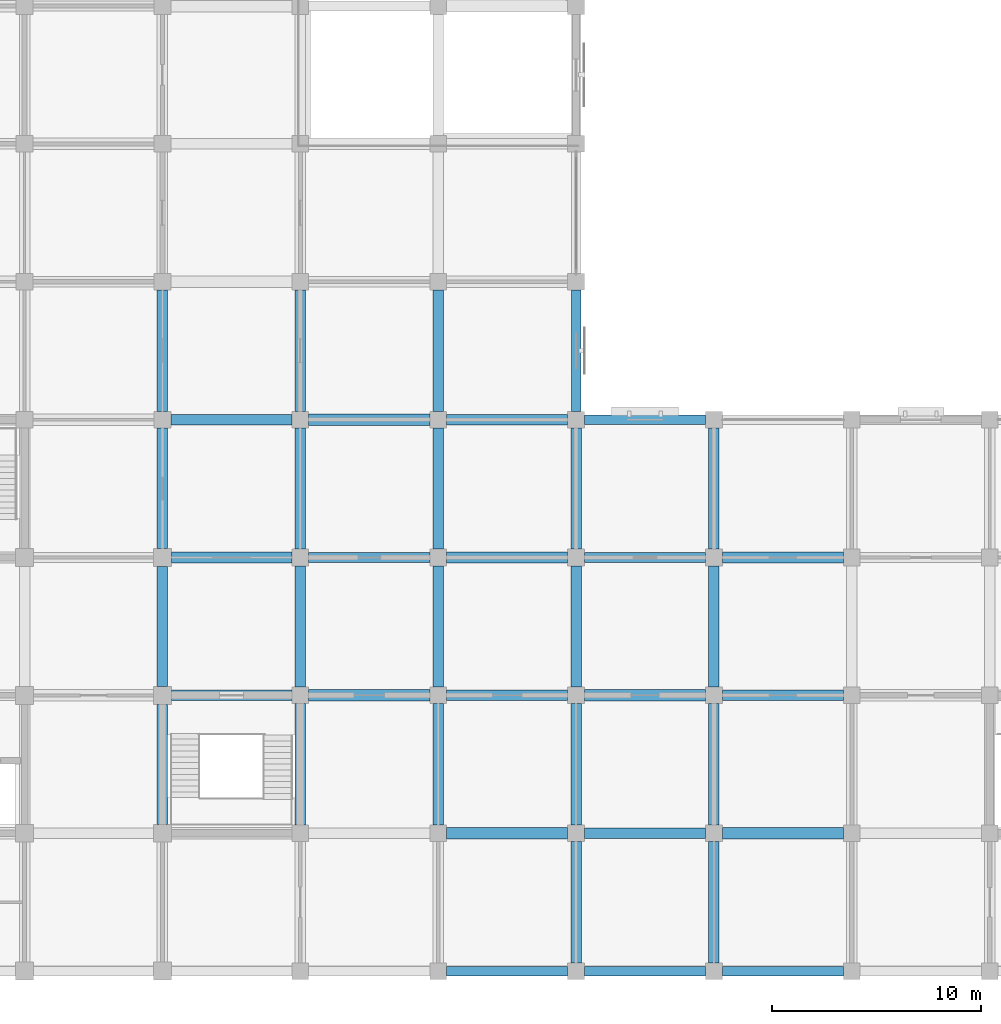
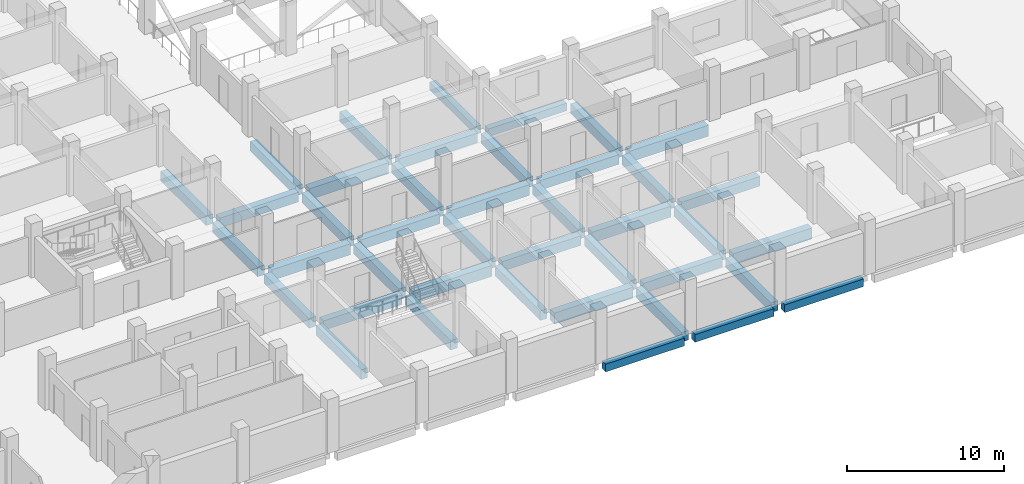
# One storey, part 2 of 30: 41 beams.
"""IFC4 building model written with IfcOpenShell, lengths in metres."""

from ifc_helpers import new_model, si_unit, direction, frame, origin, origin_2d, place, context, subcontext, project, spatial, rectangle, extrude, material, material_profile, profile_set, type_object, element, save


model = new_model("IFC4")

# Units and contexts
model_context = context("Model", 3, precision=1e-05, world=origin(), true_north=direction((0.0, 1.0)))
body_context = subcontext(model_context, "Body", "Model", "MODEL_VIEW")
ifc_project = project(units=[si_unit("LENGTHUNIT", "METRE"), si_unit("AREAUNIT", "SQUARE_METRE"), si_unit("VOLUMEUNIT", "CUBIC_METRE"), si_unit("PLANEANGLEUNIT", "RADIAN"), si_unit("MASSUNIT", "GRAM", prefix="KILO")], contexts=[model_context])

# Site, building, storey
site_placement = place(None, origin())
site = spatial("IfcSite", under=ifc_project, at=site_placement, CompositionType="ELEMENT")
building_placement = place(site_placement, origin())
building = spatial("IfcBuilding", under=site, at=building_placement, Name="Rusizi Kubbe Research Institute", CompositionType="ELEMENT")
storey_placement = place(building_placement, frame((0.0, 0.0, 10.199951171875)))
storey = spatial("IfcBuildingStorey", under=building, at=storey_placement, Name="L02", CompositionType="ELEMENT", Elevation=10.199951171875)

# Beams
ifc_material_1 = material(Name="Concrete C40/50", Category="concrete")
ifc_material_profile_1 = material_profile(ifc_material_1, rectangle(XDim=0.449951171875, YDim=0.60009765625, at=origin_2d()), Name="RC450x600")
ifc_profile_set_1 = profile_set([ifc_material_profile_1], Name="Concrete C40/50")
beam_type_1 = type_object("IfcBeamType", Name="BM-RC450x600", PredefinedType="SPANDREL", material=ifc_profile_set_1)
beam_1_placement = place(storey_placement, frame((46.60009765625, 0.0, -0.64990234375), z_axis=(1.0, 0.0, 0.0), x_axis=(0.0, 1.0, 0.0)))
element("IfcBeam", 1, at=beam_1_placement, inside=storey, type_object=beam_type_1, Name="Grid Beam H L02 (7,0)", PredefinedType="SPANDREL", context=body_context, shape_type="SweptSolid", body=[
    extrude(rectangle(XDim=0.449951171875, YDim=0.60009765625, at=origin_2d()), origin(), (0.0, 0.0, 1.0), 5.7998046875),
])
for number, where, z_axis, x_axis, name in (
    (2, (53.199951171875, 0.0, -0.64990234375), (1.0, 0.0, 0.0), (0.0, 1.0, 0.0), "Grid Beam H L02 (8,0)"),
    (3, (53.199951171875, 26.39990234375, -0.64990234375), (1.0, 0.0, 0.0), (0.0, 1.0, 0.0), "Grid Beam H L02 (8,4)"),
    (4, (59.800048828125, 0.0, -0.64990234375), (1.0, 0.0, 0.0), (0.0, 1.0, 0.0), "Grid Beam H L02 (9,0)"),
    (5, (52.800048828125, 26.800048828125, -0.64990234375), (0.0, 1.0, 0.0), (-1.0, 0.0, 0.0), "Grid Beam V L02 (8,4)"),
):
    element("IfcBeam", number, at=place(storey_placement, frame(where, z_axis=z_axis, x_axis=x_axis)), inside=storey, type_object=beam_type_1, Name=name, PredefinedType="SPANDREL", context=body_context, shape_type="SweptSolid", body=[
        extrude(rectangle(XDim=0.449951171875, YDim=0.60009765625, at=origin_2d()), origin(), (0.0, 0.0, 1.0), 5.800048828125),
    ])
ifc_material_2 = material(Name="Concrete C45/55", Category="concrete")
ifc_material_profile_2 = material_profile(ifc_material_2, rectangle(XDim=0.5, YDim=0.75, at=origin_2d()), Name="RC500x750B")
ifc_profile_set_2 = profile_set([ifc_material_profile_2], Name="Concrete C45/55")
beam_type_2 = type_object("IfcBeamType", Name="BM-RC500x750", PredefinedType="BEAM", material=ifc_profile_set_2)
beam_2_placement = place(storey_placement, frame((33.425048828125, 13.199951171875, -0.724853515625), z_axis=(1.0, 0.0, 0.0), x_axis=(0.0, 1.0, 0.0)))
element("IfcBeam", 6, at=beam_2_placement, inside=storey, type_object=beam_type_2, Name="Grid Beam H L02 (5,2)", PredefinedType="BEAM", context=body_context, shape_type="SweptSolid", body=[
    extrude(rectangle(XDim=0.5, YDim=0.75, at=origin_2d()), origin(), (0.0, 0.0, 1.0), 5.77490234375),
])
for number, where, z_axis, x_axis, name in (
    (7, (33.39990234375, 26.39990234375, -0.724853515625), (1.0, 0.0, 0.0), (0.0, 1.0, 0.0), "Grid Beam H L02 (5,4)"),
    (8, (40.0, 19.800048828125, -0.724853515625), (1.0, 0.0, 0.0), (0.0, 1.0, 0.0), "Grid Beam H L02 (6,3)"),
):
    element("IfcBeam", number, at=place(storey_placement, frame(where, z_axis=z_axis, x_axis=x_axis)), inside=storey, type_object=beam_type_2, Name=name, PredefinedType="BEAM", context=body_context, shape_type="SweptSolid", body=[
        extrude(rectangle(XDim=0.5, YDim=0.75, at=origin_2d()), origin(), (0.0, 0.0, 1.0), 5.800048828125),
    ])
for number, where, z_axis, x_axis, name in (
    (9, (46.60009765625, 13.199951171875, -0.724853515625), (1.0, 0.0, 0.0), (0.0, 1.0, 0.0), "Grid Beam H L02 (7,2)"),
    (10, (46.60009765625, 26.39990234375, -0.724853515625), (1.0, 0.0, 0.0), (0.0, 1.0, 0.0), "Grid Beam H L02 (7,4)"),
):
    element("IfcBeam", number, at=place(storey_placement, frame(where, z_axis=z_axis, x_axis=x_axis)), inside=storey, type_object=beam_type_2, Name=name, PredefinedType="BEAM", context=body_context, shape_type="SweptSolid", body=[
        extrude(rectangle(XDim=0.5, YDim=0.75, at=origin_2d()), origin(), (0.0, 0.0, 1.0), 5.7998046875),
    ])
for number, where, z_axis, x_axis, name in (
    (11, (53.199951171875, 6.60009765625, -0.724853515625), (1.0, 0.0, 0.0), (0.0, 1.0, 0.0), "Grid Beam H L02 (8,1)"),
    (12, (53.199951171875, 19.800048828125, -0.724853515625), (1.0, 0.0, 0.0), (0.0, 1.0, 0.0), "Grid Beam H L02 (8,3)"),
    (13, (59.800048828125, 13.199951171875, -0.724853515625), (1.0, 0.0, 0.0), (0.0, 1.0, 0.0), "Grid Beam H L02 (9,2)"),
):
    element("IfcBeam", number, at=place(storey_placement, frame(where, z_axis=z_axis, x_axis=x_axis)), inside=storey, type_object=beam_type_2, Name=name, PredefinedType="BEAM", context=body_context, shape_type="SweptSolid", body=[
        extrude(rectangle(XDim=0.5, YDim=0.75, at=origin_2d()), origin(), (0.0, 0.0, 1.0), 5.800048828125),
    ])
for number, where, z_axis, x_axis, name in (
    (14, (33.0, 7.02490234375, -0.724853515625), (0.0, 1.0, 0.0), (-1.0, 0.0, 0.0), "Grid Beam V L02 (5,1)"),
    (15, (33.0, 13.625, -0.724853515625), (0.0, 1.0, 0.0), (-1.0, 0.0, 0.0), "Grid Beam V L02 (5,2)"),
):
    element("IfcBeam", number, at=place(storey_placement, frame(where, z_axis=z_axis, x_axis=x_axis)), inside=storey, type_object=beam_type_2, Name=name, PredefinedType="BEAM", context=body_context, shape_type="SweptSolid", body=[
        extrude(rectangle(XDim=0.5, YDim=0.75, at=origin_2d()), origin(), (0.0, 0.0, 1.0), 5.75),
    ])
beam_3_placement = place(storey_placement, frame((33.0, 20.22509765625, -0.724853515625), z_axis=(0.0, 1.0, 0.0), x_axis=(-1.0, 0.0, 0.0)))
element("IfcBeam", 16, at=beam_3_placement, inside=storey, type_object=beam_type_2, Name="Grid Beam V L02 (5,3)", PredefinedType="BEAM", context=body_context, shape_type="SweptSolid", body=[
    extrude(rectangle(XDim=0.5, YDim=0.75, at=origin_2d()), origin(), (0.0, 0.0, 1.0), 5.77490234375),
])
for number, where, z_axis, x_axis, name in (
    (17, (33.0, 26.800048828125, -0.724853515625), (0.0, 1.0, 0.0), (-1.0, 0.0, 0.0), "Grid Beam V L02 (5,4)"),
    (18, (39.60009765625, 7.0, -0.724853515625), (0.0, 1.0, 0.0), (-1.0, 0.0, 0.0), "Grid Beam V L02 (6,1)"),
):
    element("IfcBeam", number, at=place(storey_placement, frame(where, z_axis=z_axis, x_axis=x_axis)), inside=storey, type_object=beam_type_2, Name=name, PredefinedType="BEAM", context=body_context, shape_type="SweptSolid", body=[
        extrude(rectangle(XDim=0.5, YDim=0.75, at=origin_2d()), origin(), (0.0, 0.0, 1.0), 5.800048828125),
    ])
beam_4_placement = place(storey_placement, frame((39.60009765625, 13.60009765625, -0.724853515625), z_axis=(0.0, 1.0, 0.0), x_axis=(-1.0, 0.0, 0.0)))
element("IfcBeam", 19, at=beam_4_placement, inside=storey, type_object=beam_type_2, Name="Grid Beam V L02 (6,2)", PredefinedType="BEAM", context=body_context, shape_type="SweptSolid", body=[
    extrude(rectangle(XDim=0.5, YDim=0.75, at=origin_2d()), origin(), (0.0, 0.0, 1.0), 5.7998046875),
])
for number, where, z_axis, x_axis, name in (
    (20, (39.60009765625, 20.199951171875, -0.724853515625), (0.0, 1.0, 0.0), (-1.0, 0.0, 0.0), "Grid Beam V L02 (6,3)"),
    (21, (39.60009765625, 26.800048828125, -0.724853515625), (0.0, 1.0, 0.0), (-1.0, 0.0, 0.0), "Grid Beam V L02 (6,4)"),
    (22, (46.199951171875, 7.0, -0.724853515625), (0.0, 1.0, 0.0), (-1.0, 0.0, 0.0), "Grid Beam V L02 (7,1)"),
):
    element("IfcBeam", number, at=place(storey_placement, frame(where, z_axis=z_axis, x_axis=x_axis)), inside=storey, type_object=beam_type_2, Name=name, PredefinedType="BEAM", context=body_context, shape_type="SweptSolid", body=[
        extrude(rectangle(XDim=0.5, YDim=0.75, at=origin_2d()), origin(), (0.0, 0.0, 1.0), 5.800048828125),
    ])
beam_5_placement = place(storey_placement, frame((46.199951171875, 13.60009765625, -0.724853515625), z_axis=(0.0, 1.0, 0.0), x_axis=(-1.0, 0.0, 0.0)))
element("IfcBeam", 23, at=beam_5_placement, inside=storey, type_object=beam_type_2, Name="Grid Beam V L02 (7,2)", PredefinedType="BEAM", context=body_context, shape_type="SweptSolid", body=[
    extrude(rectangle(XDim=0.5, YDim=0.75, at=origin_2d()), origin(), (0.0, 0.0, 1.0), 5.7998046875),
])
for number, where, z_axis, x_axis, name in (
    (24, (46.199951171875, 20.199951171875, -0.724853515625), (0.0, 1.0, 0.0), (-1.0, 0.0, 0.0), "Grid Beam V L02 (7,3)"),
    (25, (46.199951171875, 26.800048828125, -0.724853515625), (0.0, 1.0, 0.0), (-1.0, 0.0, 0.0), "Grid Beam V L02 (7,4)"),
    (26, (52.800048828125, 0.39990234375, -0.724853515625), (0.0, 1.0, 0.0), (-1.0, 0.0, 0.0), "Grid Beam V L02 (8,0)"),
    (27, (52.800048828125, 7.0, -0.724853515625), (0.0, 1.0, 0.0), (-1.0, 0.0, 0.0), "Grid Beam V L02 (8,1)"),
):
    element("IfcBeam", number, at=place(storey_placement, frame(where, z_axis=z_axis, x_axis=x_axis)), inside=storey, type_object=beam_type_2, Name=name, PredefinedType="BEAM", context=body_context, shape_type="SweptSolid", body=[
        extrude(rectangle(XDim=0.5, YDim=0.75, at=origin_2d()), origin(), (0.0, 0.0, 1.0), 5.800048828125),
    ])
beam_6_placement = place(storey_placement, frame((52.800048828125, 13.60009765625, -0.724853515625), z_axis=(0.0, 1.0, 0.0), x_axis=(-1.0, 0.0, 0.0)))
element("IfcBeam", 28, at=beam_6_placement, inside=storey, type_object=beam_type_2, Name="Grid Beam V L02 (8,2)", PredefinedType="BEAM", context=body_context, shape_type="SweptSolid", body=[
    extrude(rectangle(XDim=0.5, YDim=0.75, at=origin_2d()), origin(), (0.0, 0.0, 1.0), 5.7998046875),
])
for number, where, z_axis, x_axis, name in (
    (29, (52.800048828125, 20.199951171875, -0.724853515625), (0.0, 1.0, 0.0), (-1.0, 0.0, 0.0), "Grid Beam V L02 (8,3)"),
    (30, (59.39990234375, 0.39990234375, -0.724853515625), (0.0, 1.0, 0.0), (-1.0, 0.0, 0.0), "Grid Beam V L02 (9,0)"),
    (31, (59.39990234375, 7.0, -0.724853515625), (0.0, 1.0, 0.0), (-1.0, 0.0, 0.0), "Grid Beam V L02 (9,1)"),
):
    element("IfcBeam", number, at=place(storey_placement, frame(where, z_axis=z_axis, x_axis=x_axis)), inside=storey, type_object=beam_type_2, Name=name, PredefinedType="BEAM", context=body_context, shape_type="SweptSolid", body=[
        extrude(rectangle(XDim=0.5, YDim=0.75, at=origin_2d()), origin(), (0.0, 0.0, 1.0), 5.800048828125),
    ])
beam_7_placement = place(storey_placement, frame((59.39990234375, 13.60009765625, -0.724853515625), z_axis=(0.0, 1.0, 0.0), x_axis=(-1.0, 0.0, 0.0)))
element("IfcBeam", 32, at=beam_7_placement, inside=storey, type_object=beam_type_2, Name="Grid Beam V L02 (9,2)", PredefinedType="BEAM", context=body_context, shape_type="SweptSolid", body=[
    extrude(rectangle(XDim=0.5, YDim=0.75, at=origin_2d()), origin(), (0.0, 0.0, 1.0), 5.7998046875),
])
beam_8_placement = place(storey_placement, frame((59.39990234375, 20.199951171875, -0.724853515625), z_axis=(0.0, 1.0, 0.0), x_axis=(-1.0, 0.0, 0.0)))
element("IfcBeam", 33, at=beam_8_placement, inside=storey, type_object=beam_type_2, Name="Grid Beam V L02 (9,3)", PredefinedType="BEAM", context=body_context, shape_type="SweptSolid", body=[
    extrude(rectangle(XDim=0.5, YDim=0.75, at=origin_2d()), origin(), (0.0, 0.0, 1.0), 5.800048828125),
])
ifc_material_3 = material(Name="Concrete C45/55", Category="concrete")
ifc_material_profile_3 = material_profile(ifc_material_3, rectangle(XDim=0.550048828125, YDim=0.85009765625, at=origin_2d()), Name="RC550x850")
ifc_profile_set_3 = profile_set([ifc_material_profile_3], Name="Concrete C45/55")
beam_type_3 = type_object("IfcBeamType", Name="BM-RC550x850", PredefinedType="BEAM", material=ifc_profile_set_3)
beam_9_placement = place(storey_placement, frame((33.425048828125, 19.800048828125, -0.77490234375), z_axis=(1.0, 0.0, 0.0), x_axis=(0.0, 1.0, 0.0)))
element("IfcBeam", 34, at=beam_9_placement, inside=storey, type_object=beam_type_3, Name="Grid Beam H L02 (5,3)", PredefinedType="BEAM", context=body_context, shape_type="SweptSolid", body=[
    extrude(rectangle(XDim=0.550048828125, YDim=0.85009765625, at=origin_2d()), origin(), (0.0, 0.0, 1.0), 5.77490234375),
])
for number, where, z_axis, x_axis, name in (
    (35, (40.0, 13.199951171875, -0.77490234375), (1.0, 0.0, 0.0), (0.0, 1.0, 0.0), "Grid Beam H L02 (6,2)"),
    (36, (40.0, 26.39990234375, -0.77490234375), (1.0, 0.0, 0.0), (0.0, 1.0, 0.0), "Grid Beam H L02 (6,4)"),
):
    element("IfcBeam", number, at=place(storey_placement, frame(where, z_axis=z_axis, x_axis=x_axis)), inside=storey, type_object=beam_type_3, Name=name, PredefinedType="BEAM", context=body_context, shape_type="SweptSolid", body=[
        extrude(rectangle(XDim=0.550048828125, YDim=0.85009765625, at=origin_2d()), origin(), (0.0, 0.0, 1.0), 5.800048828125),
    ])
for number, where, z_axis, x_axis, name in (
    (37, (46.60009765625, 6.60009765625, -0.77490234375), (1.0, 0.0, 0.0), (0.0, 1.0, 0.0), "Grid Beam H L02 (7,1)"),
    (38, (46.60009765625, 19.800048828125, -0.77490234375), (1.0, 0.0, 0.0), (0.0, 1.0, 0.0), "Grid Beam H L02 (7,3)"),
):
    element("IfcBeam", number, at=place(storey_placement, frame(where, z_axis=z_axis, x_axis=x_axis)), inside=storey, type_object=beam_type_3, Name=name, PredefinedType="BEAM", context=body_context, shape_type="SweptSolid", body=[
        extrude(rectangle(XDim=0.550048828125, YDim=0.85009765625, at=origin_2d()), origin(), (0.0, 0.0, 1.0), 5.7998046875),
    ])
for number, where, z_axis, x_axis, name in (
    (39, (53.199951171875, 13.199951171875, -0.77490234375), (1.0, 0.0, 0.0), (0.0, 1.0, 0.0), "Grid Beam H L02 (8,2)"),
    (40, (59.800048828125, 6.60009765625, -0.77490234375), (1.0, 0.0, 0.0), (0.0, 1.0, 0.0), "Grid Beam H L02 (9,1)"),
    (41, (59.800048828125, 19.800048828125, -0.77490234375), (1.0, 0.0, 0.0), (0.0, 1.0, 0.0), "Grid Beam H L02 (9,3)"),
):
    element("IfcBeam", number, at=place(storey_placement, frame(where, z_axis=z_axis, x_axis=x_axis)), inside=storey, type_object=beam_type_3, Name=name, PredefinedType="BEAM", context=body_context, shape_type="SweptSolid", body=[
        extrude(rectangle(XDim=0.550048828125, YDim=0.85009765625, at=origin_2d()), origin(), (0.0, 0.0, 1.0), 5.800048828125),
    ])

save(model, "model.ifc")
